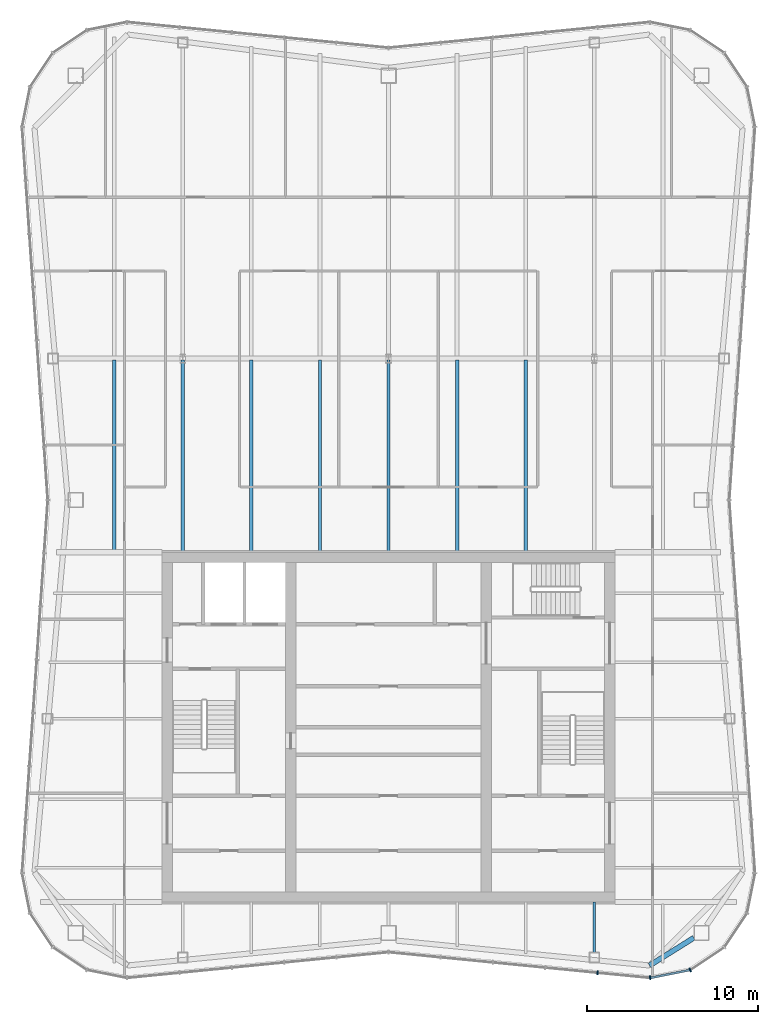
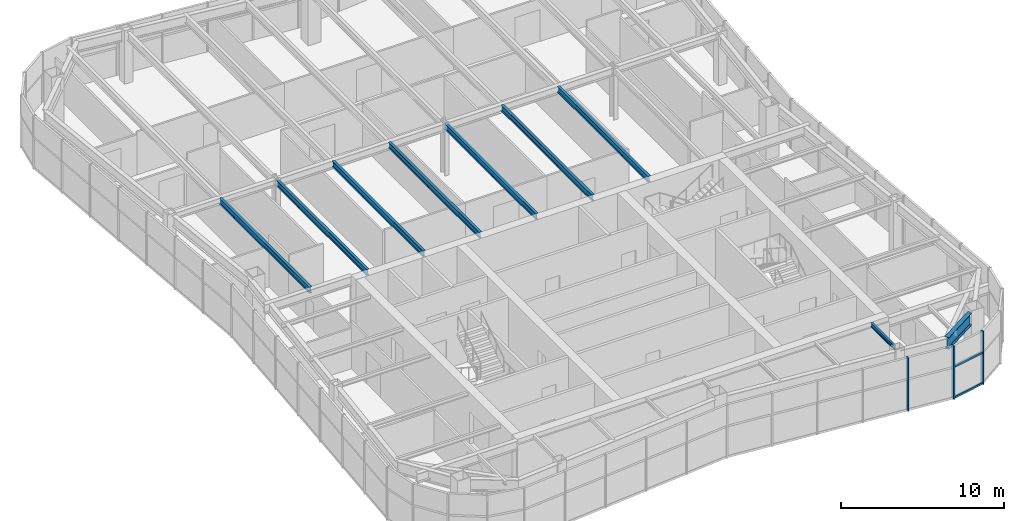
# One storey, part 4 of 13: 9 beams, 5 members, 2 elements without a shape of their own.
"""IFC4 building model written with IfcOpenShell, lengths in metres."""

from ifc_helpers import new_model, si_unit, direction, frame, origin, origin_2d, place, context, subcontext, project, spatial, rectangle, i_section, extrude, material, material_profile, profile_set, type_object, element, aggregate, save


model = new_model("IFC4")

# Units and contexts
model_context = context("Model", 3, precision=1e-05, world=origin(), true_north=direction((0.0, 1.0)))
body_context = subcontext(model_context, "Body", "Model", "MODEL_VIEW")
ifc_project = project(units=[si_unit("LENGTHUNIT", "METRE"), si_unit("AREAUNIT", "SQUARE_METRE"), si_unit("VOLUMEUNIT", "CUBIC_METRE"), si_unit("PLANEANGLEUNIT", "RADIAN"), si_unit("MASSUNIT", "GRAM", prefix="KILO")], contexts=[model_context])

# Site, building, storey
site_placement = place(None, origin())
site = spatial("IfcSite", under=ifc_project, at=site_placement, CompositionType="ELEMENT")
building_placement = place(site_placement, origin())
building = spatial("IfcBuilding", under=site, at=building_placement, Name="Verdant Reach Tower", CompositionType="ELEMENT")
storey_placement = place(building_placement, frame((0.0, 0.0, 364.0)))
storey = spatial("IfcBuildingStorey", under=building, at=storey_placement, Name="L82 Plant", CompositionType="ELEMENT", Elevation=364.0)

# Curtain wall, members
ifc_material_1 = material(Name="Anodised aluminium", Category="aluminium")
curtain_wall_type = type_object("IfcCurtainWallType", Name="EN-CW SYSTEM PLANT", PredefinedType="NOTDEFINED", material=ifc_material_1)
curtain_wall_1_placement = place(storey_placement, origin())
curtain_wall_1 = element("IfcCurtainWall", 1, at=curtain_wall_1_placement, inside=storey, type_object=curtain_wall_type, Name="Curtain wall south-east corner, L82", PredefinedType="NOTDEFINED")
ifc_material_profile_1 = material_profile(ifc_material_1, rectangle(XDim=0.238037109375, YDim=0.080078125, at=origin_2d()), Name="Mullion 80x240")
ifc_profile_set_1 = profile_set([ifc_material_profile_1], Name="Anodised aluminium")
member_type_1 = type_object("IfcMemberType", Name="EN-MULLION PLANT", PredefinedType="MULLION", material=ifc_profile_set_1)
member_1_placement = place(storey_placement, frame((15.255859375, 13.381103515625, -0.35009765625), z_axis=(0.0, 0.0, 1.0), x_axis=(0.049127596288, -0.998792510626, 0.0)))
member_1 = element("IfcMember", 2, at=member_1_placement, type_object=member_type_1, Name="Mullion south-east corner 1, L82", PredefinedType="MULLION", context=body_context, shape_type="SweptSolid", body=[
    extrude(rectangle(XDim=0.238037109375, YDim=0.080078125, at=origin_2d()), origin(), (0.0, 0.0, 1.0), 4.0),
])
member_2_placement = place(storey_placement, frame((17.591552734375, 13.8466796875, -0.35009765625), z_axis=(0.0, 0.0, 1.0), x_axis=(0.382693853776, -0.923875215753, 0.0)))
member_2 = element("IfcMember", 3, at=member_2_placement, type_object=member_type_1, Name="Mullion south-east corner 2, L82", PredefinedType="MULLION", context=body_context, shape_type="SweptSolid", body=[
    extrude(rectangle(XDim=0.238037109375, YDim=0.080078125, at=origin_2d()), origin(), (0.0, 0.0, 1.0), 4.0),
])

# Curtain wall, member
curtain_wall_2_placement = place(storey_placement, origin())
curtain_wall_2 = element("IfcCurtainWall", 4, at=curtain_wall_2_placement, inside=storey, type_object=curtain_wall_type, Name="Curtain wall south, L82", PredefinedType="NOTDEFINED")
member_3_placement = place(storey_placement, frame((12.188232421875, 13.681640625, -0.35009765625), z_axis=(0.0, 0.0, 1.0), x_axis=(-0.09788826992, -0.995197410875, 0.0)))
member_3 = element("IfcMember", 5, at=member_3_placement, type_object=member_type_1, Name="Mullion south face part 2 5, L82", PredefinedType="MULLION", context=body_context, shape_type="SweptSolid", body=[
    extrude(rectangle(XDim=0.238037109375, YDim=0.080078125, at=origin_2d()), origin(), (0.0, 0.0, 1.0), 4.0),
])
aggregate(curtain_wall_2, [member_3])

# Member
ifc_material_profile_2 = material_profile(ifc_material_1, rectangle(XDim=0.1201171875, YDim=0.14990234375, at=origin_2d()), Name="Transom 150x120")
ifc_profile_set_2 = profile_set([ifc_material_profile_2], Name="Anodised aluminium")
member_type_2 = type_object("IfcMemberType", Name="EN-TRANSOM PLANT", PredefinedType="USERDEFINED", material=ifc_profile_set_2)
member_4_placement = place(storey_placement, frame((15.295166015625, 13.388916015625, -0.27490234375), z_axis=(0.980706937788, 0.195483764476, 0.0), x_axis=(-0.195483764476, 0.980706937788, 0.0)))
member_4 = element("IfcMember", 6, at=member_4_placement, type_object=member_type_2, Name="Transom south-east corner 1.1, L82", ObjectType="TRANSOM", PredefinedType="USERDEFINED", context=body_context, shape_type="SweptSolid", body=[
    extrude(rectangle(XDim=0.1201171875, YDim=0.14990234375, at=origin_2d()), origin(), (0.0, 0.0, 1.0), 2.3017578125),
])

member_5_placement = place(storey_placement, frame((15.295166015625, 13.388916015625, 2.050048828125), z_axis=(0.980706937788, 0.195483764476, 0.0), x_axis=(-0.195483764476, 0.980706937788, 0.0)))
member_5 = element("IfcMember", 7, at=member_5_placement, type_object=member_type_2, Name="Transom south-east corner 1.2, L82", ObjectType="TRANSOM", PredefinedType="USERDEFINED", context=body_context, shape_type="SweptSolid", body=[
    extrude(rectangle(XDim=0.1201171875, YDim=0.14990234375, at=origin_2d()), origin(), (0.0, 0.0, 1.0), 2.3017578125),
])

aggregate(curtain_wall_1, [member_1, member_2, member_4, member_5])

# Beams
ifc_material_2 = material(Name="Steel S355", Category="steel")
ifc_material_profile_3 = material_profile(ifc_material_2, i_section(OverallWidth=0.302001953125, OverallDepth=0.909912109375, WebThickness=0.02099609375, FlangeThickness=0.0400390625, FilletRadius=0.030029296875, at=origin_2d()), Name="HEM 900")
ifc_profile_set_3 = profile_set([ifc_material_profile_3], Name="Steel S355")
beam_type_1 = type_object("IfcBeamType", Name="ST-BEAM-HEM900", PredefinedType="BEAM", material=ifc_profile_set_3)
beam_1_placement = place(storey_placement, frame((17.800048828125, 15.71875, 3.39501953125), z_axis=(-0.847903624467, -0.530150397166, 0.0), x_axis=(0.530150397166, -0.847903624467, 0.0)))
element("IfcBeam", 8, at=beam_1_placement, inside=storey, type_object=beam_type_1, Name="Column stub beam, L82 Plant", PredefinedType="BEAM", context=body_context, shape_type="SweptSolid", body=[
    extrude(i_section(OverallWidth=0.302001953125, OverallDepth=0.909912109375, WebThickness=0.02099609375, FlangeThickness=0.0400390625, FilletRadius=0.030029296875, at=origin_2d()), origin(), (0.0, 0.0, 1.0), 3.042724609375),
])
ifc_material_profile_4 = material_profile(ifc_material_2, i_section(OverallWidth=0.14990234375, OverallDepth=0.300048828125, WebThickness=0.007080078125, FlangeThickness=0.0107421875, FilletRadius=0.014892578125, at=origin_2d()), Name="IPE 300")
ifc_profile_set_4 = profile_set([ifc_material_profile_4], Name="Steel S355")
beam_type_2 = type_object("IfcBeamType", Name="ST-JOIST-IPE300", PredefinedType="JOIST", material=ifc_profile_set_4)
beam_2_placement = place(storey_placement, frame((12.0, 17.800048828125, 3.699951171875), z_axis=(0.0, -1.0, 0.0), x_axis=(1.0, 0.0, 0.0)))
element("IfcBeam", 9, at=beam_2_placement, inside=storey, type_object=beam_type_2, Name="Floor joist, L82 Plant", PredefinedType="JOIST", context=body_context, shape_type="SweptSolid", body=[
    extrude(i_section(OverallWidth=0.14990234375, OverallDepth=0.300048828125, WebThickness=0.007080078125, FlangeThickness=0.0107421875, FilletRadius=0.014892578125, at=origin_2d()), origin(), (0.0, 0.0, 1.0), 2.930419921875),
])
ifc_material_profile_5 = material_profile(ifc_material_2, i_section(OverallWidth=0.18994140625, OverallDepth=0.449951171875, WebThickness=0.009521484375, FlangeThickness=0.0146484375, FilletRadius=0.02099609375, at=origin_2d()), Name="IPE 450")
ifc_profile_set_5 = profile_set([ifc_material_profile_5], Name="Steel S355")
beam_type_3 = type_object("IfcBeamType", Name="ST-JOIST-IPE450", PredefinedType="JOIST", material=ifc_profile_set_5)
beam_3_placement = place(storey_placement, frame((-16.0, 38.300048828125, 3.625), z_axis=(0.0, 1.0, 0.0), x_axis=(-1.0, 0.0, 0.0)))
element("IfcBeam", 10, at=beam_3_placement, inside=storey, type_object=beam_type_3, Name="Floor joist, L82 Plant", PredefinedType="JOIST", context=body_context, shape_type="SweptSolid", body=[
    extrude(i_section(OverallWidth=0.18994140625, OverallDepth=0.449951171875, WebThickness=0.009521484375, FlangeThickness=0.0146484375, FilletRadius=0.02099609375, at=origin_2d()), origin(), (0.0, 0.0, 1.0), 11.099853515625),
])
for number, where, z_axis, x_axis, name in (
    (11, (-12.0, 38.199951171875, 3.625), (0.0, 1.0, 0.0), (-1.0, 0.0, 0.0), "Floor joist, L82 Plant"),
    (12, (-8.0, 38.199951171875, 3.625), (0.0, 1.0, 0.0), (-1.0, 0.0, 0.0), "Floor joist, L82 Plant"),
    (13, (-4.0, 38.199951171875, 3.625), (0.0, 1.0, 0.0), (-1.0, 0.0, 0.0), "Floor joist, L82 Plant"),
    (14, (0.0, 38.199951171875, 3.625), (0.0, 1.0, 0.0), (-1.0, 0.0, 0.0), "Floor joist, L82 Plant"),
    (15, (4.0, 38.199951171875, 3.625), (0.0, 1.0, 0.0), (-1.0, 0.0, 0.0), "Floor joist, L82 Plant"),
    (16, (8.0, 38.199951171875, 3.625), (0.0, 1.0, 0.0), (-1.0, 0.0, 0.0), "Floor joist, L82 Plant"),
):
    element("IfcBeam", number, at=place(storey_placement, frame(where, z_axis=z_axis, x_axis=x_axis)), inside=storey, type_object=beam_type_3, Name=name, PredefinedType="JOIST", context=body_context, shape_type="SweptSolid", body=[
        extrude(i_section(OverallWidth=0.18994140625, OverallDepth=0.449951171875, WebThickness=0.009521484375, FlangeThickness=0.0146484375, FilletRadius=0.02099609375, at=origin_2d()), origin(), (0.0, 0.0, 1.0), 11.199951171875),
    ])

save(model, "model.ifc")
